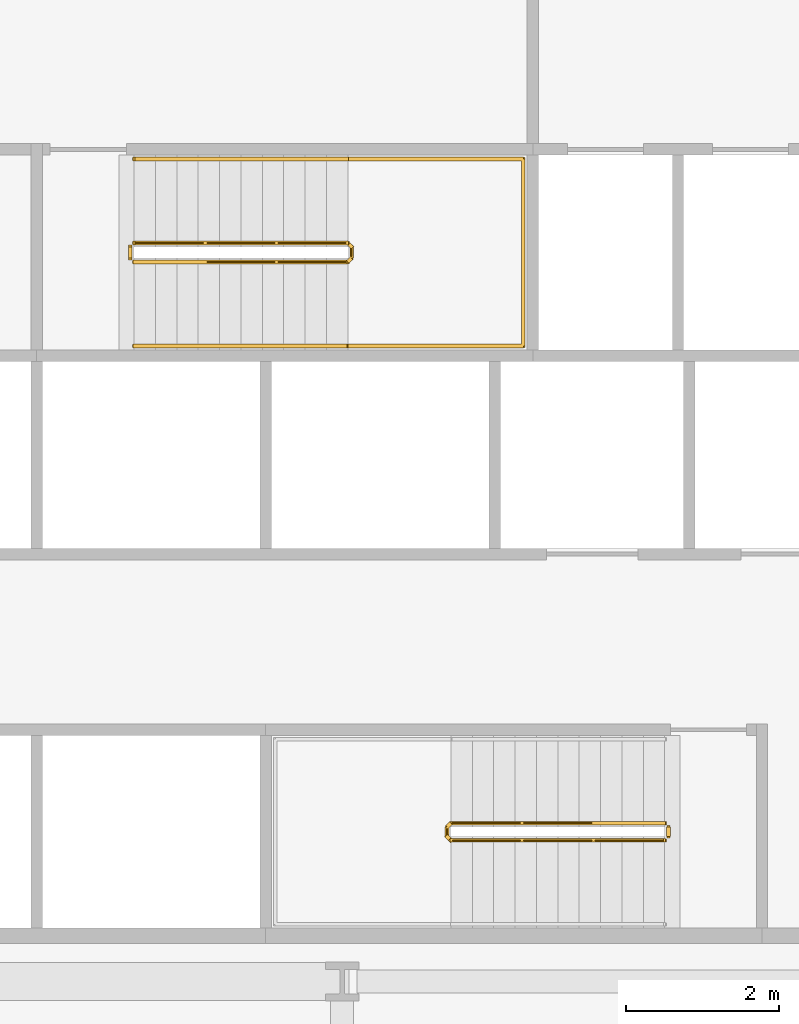
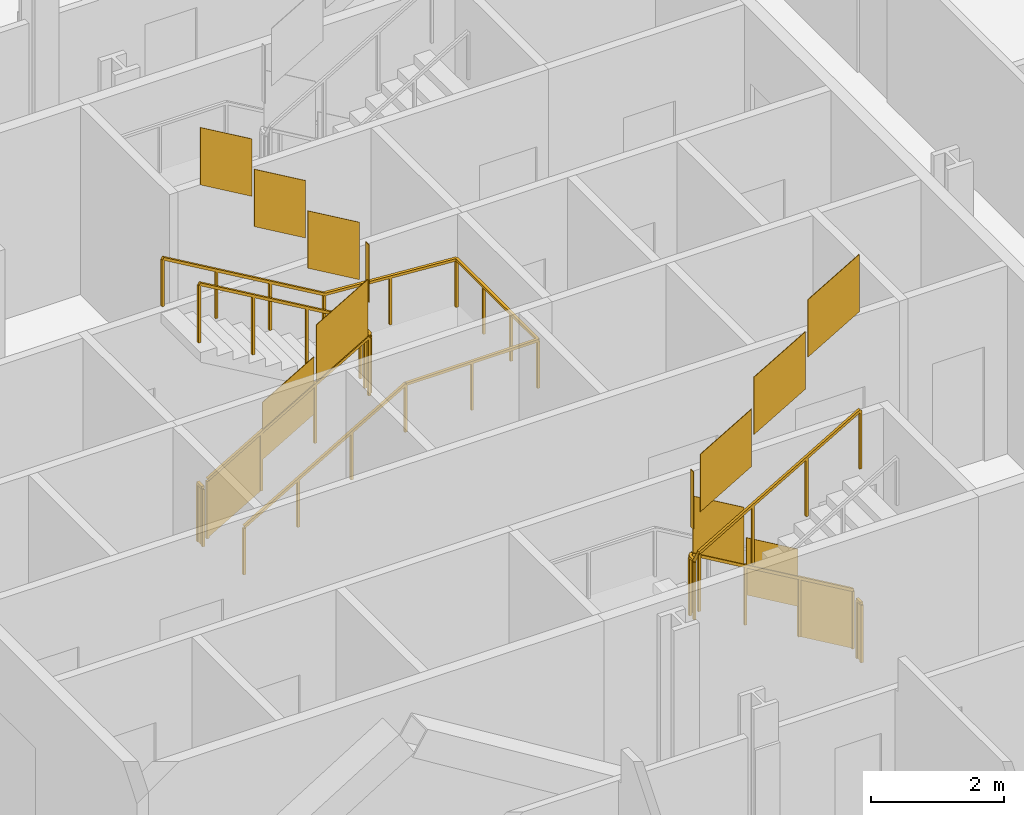
# One storey, part 17 of 20: 5 railings.
"""IFC4 building model written with IfcOpenShell, lengths in metres."""

from ifc_helpers import new_model, si_unit, direction, frame, origin, origin_2d, place, context, subcontext, project, spatial, polyline, rectangle, outline, extrude, material, type_object, element, save


model = new_model("IFC4")

# Units and contexts
model_context = context("Model", 3, precision=1e-05, world=origin(), true_north=direction((0.0, 1.0)))
body_context = subcontext(model_context, "Body", "Model", "MODEL_VIEW")
ifc_project = project(units=[si_unit("LENGTHUNIT", "METRE"), si_unit("AREAUNIT", "SQUARE_METRE"), si_unit("VOLUMEUNIT", "CUBIC_METRE"), si_unit("PLANEANGLEUNIT", "RADIAN"), si_unit("MASSUNIT", "GRAM", prefix="KILO")], contexts=[model_context])

# Site, building, storey
site_placement = place(None, origin())
site = spatial("IfcSite", under=ifc_project, at=site_placement, CompositionType="ELEMENT")
building_placement = place(site_placement, origin())
building = spatial("IfcBuilding", under=site, at=building_placement, Name="Cairn Pilgrim Tower", CompositionType="ELEMENT")
storey_placement = place(building_placement, frame((0.0, 0.0, 87.0)))
storey = spatial("IfcBuildingStorey", under=building, at=storey_placement, Name="L20", CompositionType="ELEMENT", Elevation=87.0)

# Railings
ifc_material = material(Name="Painted steel", Category="steel")
railing_type_1 = type_object("IfcRailingType", Name="STAIR GUARD 1100", PredefinedType="GUARDRAIL", material=ifc_material)
railing_1_placement = place(storey_placement, frame((11.425048828125, -3.925048828125, 0.16357421875)))
element("IfcRailing", 1, at=railing_1_placement, inside=storey, type_object=railing_type_1, Name="L20 ST-A stair guard 1", PredefinedType="GUARDRAIL", context=body_context, shape_type="SweptSolid", body=[
    extrude(rectangle(XDim=0.048095703125, YDim=0.048095703125, at=origin_2d()), frame((0.0, 0.0, 1.076171875), z_axis=(-0.863360870873, 0.0, 0.504586966384), x_axis=(0.0, -1.0, 0.0)), (0.0, 0.0, 1.0), 3.2431640625),
    extrude(rectangle(XDim=0.048095703125, YDim=0.048095703125, at=origin_2d()), frame((-2.800048828125, 0.0, 2.71240234375), z_axis=(-0.707106781187, -0.707106781187, 0.0), x_axis=(0.707106781187, -0.707106781187, 0.0)), (0.0, 0.0, 1.0), 0.07080078125),
    extrude(rectangle(XDim=0.048095703125, YDim=0.048095703125, at=origin_2d()), frame((-2.85009765625, -0.050048828125, 2.71240234375), z_axis=(0.0, -1.0, 0.0), x_axis=(1.0, 0.0, 0.0)), (0.0, 0.0, 1.0), 0.125),
    extrude(rectangle(XDim=0.048095703125, YDim=0.048095703125, at=origin_2d()), frame((-2.85009765625, -0.175048828125, 2.71240234375), z_axis=(0.280916556609, -0.279546231943, 0.91811752648), x_axis=(0.705375805398, 0.708833529934, 0.0)), (0.0, 0.0, 1.0), 0.17822265625),
    extrude(rectangle(XDim=0.048095703125, YDim=0.048095703125, at=origin_2d()), frame((-2.800048828125, -0.224853515625, 2.8759765625), z_axis=(0.863360870873, 0.0, 0.504586966384), x_axis=(0.0, 1.0, 0.0)), (0.0, 0.0, 1.0), 3.2431640625),
    extrude(rectangle(XDim=0.0419921875, YDim=0.0419921875, at=origin_2d()), origin(), (0.0, 0.0, 1.0), 1.052001953125),
    extrude(rectangle(XDim=0.0419921875, YDim=0.0419921875, at=origin_2d()), frame((-0.933349609375, 0.0, 0.54541015625)), (0.0, 0.0, 1.0), 1.052001953125),
    extrude(rectangle(XDim=0.0419921875, YDim=0.0419921875, at=origin_2d()), frame((-1.86669921875, 0.0, 1.091064453125)), (0.0, 0.0, 1.0), 1.052001953125),
    extrude(rectangle(XDim=0.0419921875, YDim=0.0419921875, at=origin_2d()), frame((-2.800048828125, 0.0, 1.636474609375)), (0.0, 0.0, 1.0), 1.052001953125),
    extrude(rectangle(XDim=0.0419921875, YDim=0.0419921875, at=origin_2d()), frame((-2.85009765625, -0.050048828125, 1.636474609375)), (0.0, 0.0, 1.0), 1.052001953125),
    extrude(rectangle(XDim=0.0419921875, YDim=0.0419921875, at=origin_2d()), frame((-2.85009765625, -0.175048828125, 1.636474609375)), (0.0, 0.0, 1.0), 1.052001953125),
    extrude(rectangle(XDim=0.0419921875, YDim=0.0419921875, at=origin_2d()), frame((-2.800048828125, -0.224853515625, 1.800048828125)), (0.0, 0.0, 1.0), 1.052001953125),
    extrude(rectangle(XDim=0.0419921875, YDim=0.0419921875, at=origin_2d()), frame((-1.86669921875, -0.224853515625, 2.345458984375)), (0.0, 0.0, 1.0), 1.052001953125),
    extrude(rectangle(XDim=0.0419921875, YDim=0.0419921875, at=origin_2d()), frame((-0.933349609375, -0.224853515625, 2.89111328125)), (0.0, 0.0, 1.0), 1.052001953125),
    extrude(rectangle(XDim=0.0419921875, YDim=0.0419921875, at=origin_2d()), frame((0.0, -0.224853515625, 3.4365234375)), (0.0, 0.0, 1.0), 1.052001953125),
    extrude(outline(polyline([(0.02099609375, 0.01220703125), (0.912353515625, 0.533203125), (0.912353515625, 1.585205078125), (0.02099609375, 1.064208984375), (0.02099609375, 0.01220703125)])), frame((0.0, -0.005859375, 0.0), z_axis=(0.0, 1.0, 0.0), x_axis=(-1.0, 0.0, 0.0)), (0.0, 0.0, 1.0), 0.011962890625),
    extrude(outline(polyline([(0.02099609375, 0.557861328125), (0.912353515625, 1.07861328125), (0.912353515625, 2.130615234375), (0.02099609375, 1.60986328125), (0.02099609375, 0.557861328125)])), frame((-0.933349609375, -0.005859375, 0.54541015625), z_axis=(0.0, 1.0, 0.0), x_axis=(-1.0, 0.0, 0.0)), (0.0, 0.0, 1.0), 0.011962890625),
    extrude(outline(polyline([(0.02099609375, 1.103271484375), (0.912353515625, 1.624267578125), (0.912353515625, 2.67626953125), (0.02099609375, 2.1552734375), (0.02099609375, 1.103271484375)])), frame((-1.86669921875, -0.005859375, 1.091064453125), z_axis=(0.0, 1.0, 0.0), x_axis=(-1.0, 0.0, 0.0)), (0.0, 0.0, 1.0), 0.011962890625),
    extrude(outline(polyline([(0.02099609375, 1.636474609375), (0.10400390625, 1.636474609375), (0.10400390625, 2.6884765625), (0.02099609375, 2.6884765625), (0.02099609375, 1.636474609375)])), frame((-2.84423828125, -0.050048828125, 1.636474609375), z_axis=(-1.0, 0.0, 0.0), x_axis=(0.0, -1.0, 0.0)), (0.0, 0.0, 1.0), 0.011962890625),
    extrude(outline(polyline([(0.02099609375, 1.812255859375), (0.912353515625, 2.333251953125), (0.912353515625, 3.38525390625), (0.02099609375, 2.8642578125), (0.02099609375, 1.812255859375)])), frame((-2.800048828125, -0.21875, 1.800048828125), z_axis=(0.0, -1.0, 0.0), x_axis=(1.0, 0.0, 0.0)), (0.0, 0.0, 1.0), 0.011962890625),
    extrude(outline(polyline([(0.02099609375, 2.35791015625), (0.912353515625, 2.878662109375), (0.912353515625, 3.9306640625), (0.02099609375, 3.409912109375), (0.02099609375, 2.35791015625)])), frame((-1.86669921875, -0.21875, 2.345458984375), z_axis=(0.0, -1.0, 0.0), x_axis=(1.0, 0.0, 0.0)), (0.0, 0.0, 1.0), 0.011962890625),
    extrude(outline(polyline([(0.02099609375, 2.9033203125), (0.912353515625, 3.42431640625), (0.912353515625, 4.476318359375), (0.02099609375, 3.955322265625), (0.02099609375, 2.9033203125)])), frame((-0.933349609375, -0.21875, 2.89111328125), z_axis=(0.0, -1.0, 0.0), x_axis=(1.0, 0.0, 0.0)), (0.0, 0.0, 1.0), 0.011962890625),
])
railing_2_placement = place(storey_placement, frame((11.47509765625, -3.97509765625, 0.0)))
element("IfcRailing", 2, at=railing_2_placement, inside=storey, type_object=railing_type_1, Name="L20 ST-A stair guard 2", PredefinedType="GUARDRAIL", context=body_context, shape_type="SweptSolid", body=[
    extrude(rectangle(XDim=0.048095703125, YDim=0.048095703125, at=origin_2d()), frame((0.0, 0.0, 1.076171875), z_axis=(0.0, -1.0, 0.0), x_axis=(1.0, 0.0, 0.0)), (0.0, 0.0, 1.0), 0.125),
    extrude(rectangle(XDim=0.0419921875, YDim=0.0419921875, at=origin_2d()), origin(), (0.0, 0.0, 1.0), 1.052001953125),
    extrude(rectangle(XDim=0.0419921875, YDim=0.0419921875, at=origin_2d()), frame((0.0, -0.125, 0.0)), (0.0, 0.0, 1.0), 1.052001953125),
    extrude(outline(polyline([(0.02099609375, 0.0), (0.10400390625, 0.0), (0.10400390625, 1.052001953125), (0.02099609375, 1.052001953125), (0.02099609375, 0.0)])), frame((0.005859375, 0.0, 0.0), z_axis=(-1.0, 0.0, 0.0), x_axis=(0.0, -1.0, 0.0)), (0.0, 0.0, 1.0), 0.011962890625),
])
railing_3_placement = place(storey_placement, frame((4.47509765625, 3.425048828125, 0.16357421875)))
element("IfcRailing", 3, at=railing_3_placement, inside=storey, type_object=railing_type_1, Name="L20 ST-B stair guard 1", PredefinedType="GUARDRAIL", context=body_context, shape_type="SweptSolid", body=[
    extrude(rectangle(XDim=0.048095703125, YDim=0.048095703125, at=origin_2d()), frame((0.0, 0.0, 1.076171875), z_axis=(0.863341702679, 0.0, 0.504619762213), x_axis=(0.0, 1.0, 0.0)), (0.0, 0.0, 1.0), 3.242919921875),
    extrude(rectangle(XDim=0.048095703125, YDim=0.048095703125, at=origin_2d()), frame((2.7998046875, 0.0, 2.71240234375), z_axis=(0.707106781187, 0.707106781187, 0.0), x_axis=(-0.707106781187, 0.707106781187, 0.0)), (0.0, 0.0, 1.0), 0.07080078125),
    extrude(rectangle(XDim=0.048095703125, YDim=0.048095703125, at=origin_2d()), frame((2.849853515625, 0.050048828125, 2.71240234375), z_axis=(0.0, 1.0, 0.0), x_axis=(-1.0, 0.0, 0.0)), (0.0, 0.0, 1.0), 0.14990234375),
    extrude(rectangle(XDim=0.048095703125, YDim=0.048095703125, at=origin_2d()), frame((2.849853515625, 0.199951171875, 2.71240234375), z_axis=(-0.280808744504, 0.280808744504, 0.917765164963), x_axis=(-0.707106781187, -0.707106781187, 0.0)), (0.0, 0.0, 1.0), 0.17822265625),
    extrude(rectangle(XDim=0.048095703125, YDim=0.048095703125, at=origin_2d()), frame((2.7998046875, 0.25, 2.8759765625), z_axis=(-0.863341702679, 0.0, 0.504619762213), x_axis=(0.0, -1.0, 0.0)), (0.0, 0.0, 1.0), 3.242919921875),
    extrude(rectangle(XDim=0.0419921875, YDim=0.0419921875, at=origin_2d()), origin(), (0.0, 0.0, 1.0), 1.052001953125),
    extrude(rectangle(XDim=0.0419921875, YDim=0.0419921875, at=origin_2d()), frame((0.933349609375, 0.0, 0.54541015625)), (0.0, 0.0, 1.0), 1.052001953125),
    extrude(rectangle(XDim=0.0419921875, YDim=0.0419921875, at=origin_2d()), frame((1.866455078125, 0.0, 1.091064453125)), (0.0, 0.0, 1.0), 1.052001953125),
    extrude(rectangle(XDim=0.0419921875, YDim=0.0419921875, at=origin_2d()), frame((2.7998046875, 0.0, 1.636474609375)), (0.0, 0.0, 1.0), 1.052001953125),
    extrude(rectangle(XDim=0.0419921875, YDim=0.0419921875, at=origin_2d()), frame((2.849853515625, 0.050048828125, 1.636474609375)), (0.0, 0.0, 1.0), 1.052001953125),
    extrude(rectangle(XDim=0.0419921875, YDim=0.0419921875, at=origin_2d()), frame((2.849853515625, 0.199951171875, 1.636474609375)), (0.0, 0.0, 1.0), 1.052001953125),
    extrude(rectangle(XDim=0.0419921875, YDim=0.0419921875, at=origin_2d()), frame((2.7998046875, 0.25, 1.800048828125)), (0.0, 0.0, 1.0), 1.052001953125),
    extrude(rectangle(XDim=0.0419921875, YDim=0.0419921875, at=origin_2d()), frame((1.866455078125, 0.25, 2.345458984375)), (0.0, 0.0, 1.0), 1.052001953125),
    extrude(rectangle(XDim=0.0419921875, YDim=0.0419921875, at=origin_2d()), frame((0.933349609375, 0.25, 2.89111328125)), (0.0, 0.0, 1.0), 1.052001953125),
    extrude(rectangle(XDim=0.0419921875, YDim=0.0419921875, at=origin_2d()), frame((0.0, 0.25, 3.4365234375)), (0.0, 0.0, 1.0), 1.052001953125),
    extrude(outline(polyline([(0.02099609375, 0.01220703125), (0.912353515625, 0.533203125), (0.912353515625, 1.585205078125), (0.02099609375, 1.064208984375), (0.02099609375, 0.01220703125)])), frame((0.0, 0.005859375, 0.0), z_axis=(0.0, -1.0, 0.0), x_axis=(1.0, 0.0, 0.0)), (0.0, 0.0, 1.0), 0.011962890625),
    extrude(outline(polyline([(0.02099609375, 0.557861328125), (0.912353515625, 1.07861328125), (0.912353515625, 2.130615234375), (0.02099609375, 1.60986328125), (0.02099609375, 0.557861328125)])), frame((0.933349609375, 0.005859375, 0.54541015625), z_axis=(0.0, -1.0, 0.0), x_axis=(1.0, 0.0, 0.0)), (0.0, 0.0, 1.0), 0.011962890625),
    extrude(outline(polyline([(0.02099609375, 1.103271484375), (0.912353515625, 1.624267578125), (0.912353515625, 2.67626953125), (0.02099609375, 2.1552734375), (0.02099609375, 1.103271484375)])), frame((1.866455078125, 0.005859375, 1.091064453125), z_axis=(0.0, -1.0, 0.0), x_axis=(1.0, 0.0, 0.0)), (0.0, 0.0, 1.0), 0.011962890625),
    extrude(outline(polyline([(0.02099609375, 1.636474609375), (0.12890625, 1.636474609375), (0.12890625, 2.6884765625), (0.02099609375, 2.6884765625), (0.02099609375, 1.636474609375)])), frame((2.84375, 0.050048828125, 1.636474609375), z_axis=(1.0, 0.0, 0.0), x_axis=(0.0, 1.0, 0.0)), (0.0, 0.0, 1.0), 0.011962890625),
    extrude(outline(polyline([(0.02099609375, 1.812255859375), (0.912353515625, 2.333251953125), (0.912353515625, 3.38525390625), (0.02099609375, 2.8642578125), (0.02099609375, 1.812255859375)])), frame((2.7998046875, 0.244140625, 1.800048828125), z_axis=(0.0, 1.0, 0.0), x_axis=(-1.0, 0.0, 0.0)), (0.0, 0.0, 1.0), 0.011962890625),
    extrude(outline(polyline([(0.02099609375, 2.35791015625), (0.912353515625, 2.878662109375), (0.912353515625, 3.9306640625), (0.02099609375, 3.409912109375), (0.02099609375, 2.35791015625)])), frame((1.866455078125, 0.244140625, 2.345458984375), z_axis=(0.0, 1.0, 0.0), x_axis=(-1.0, 0.0, 0.0)), (0.0, 0.0, 1.0), 0.011962890625),
    extrude(outline(polyline([(0.02099609375, 2.9033203125), (0.912353515625, 3.42431640625), (0.912353515625, 4.476318359375), (0.02099609375, 3.955322265625), (0.02099609375, 2.9033203125)])), frame((0.933349609375, 0.244140625, 2.89111328125), z_axis=(0.0, 1.0, 0.0), x_axis=(-1.0, 0.0, 0.0)), (0.0, 0.0, 1.0), 0.011962890625),
])
railing_4_placement = place(storey_placement, frame((4.425048828125, 3.47509765625, 0.0)))
element("IfcRailing", 4, at=railing_4_placement, inside=storey, type_object=railing_type_1, Name="L20 ST-B stair guard 2", PredefinedType="GUARDRAIL", context=body_context, shape_type="SweptSolid", body=[
    extrude(rectangle(XDim=0.048095703125, YDim=0.048095703125, at=origin_2d()), frame((0.0, 0.0, 1.076171875), z_axis=(0.0, 1.0, 0.0), x_axis=(-1.0, 0.0, 0.0)), (0.0, 0.0, 1.0), 0.14990234375),
    extrude(rectangle(XDim=0.0419921875, YDim=0.0419921875, at=origin_2d()), origin(), (0.0, 0.0, 1.0), 1.052001953125),
    extrude(rectangle(XDim=0.0419921875, YDim=0.0419921875, at=origin_2d()), frame((0.0, 0.14990234375, 0.0)), (0.0, 0.0, 1.0), 1.052001953125),
    extrude(outline(polyline([(0.02099609375, 0.0), (0.12890625, 0.0), (0.12890625, 1.052001953125), (0.02099609375, 1.052001953125), (0.02099609375, 0.0)])), frame((-0.005859375, 0.0, 0.0), z_axis=(1.0, 0.0, 0.0), x_axis=(0.0, 1.0, 0.0)), (0.0, 0.0, 1.0), 0.011962890625),
])
railing_type_2 = type_object("IfcRailingType", Name="STAIR HANDRAIL 900", PredefinedType="HANDRAIL", material=ifc_material)
railing_5_placement = place(storey_placement, frame((4.47509765625, 2.324951171875, 0.16357421875)))
element("IfcRailing", 5, at=railing_5_placement, inside=storey, type_object=railing_type_2, Name="L20 ST-B stair handrail 1", PredefinedType="HANDRAIL", context=body_context, shape_type="SweptSolid", body=[
    extrude(rectangle(XDim=0.048095703125, YDim=0.048095703125, at=origin_2d()), frame((0.0, 0.0, 0.8759765625), z_axis=(0.863341702679, 0.0, 0.504619762213), x_axis=(0.0, 1.0, 0.0)), (0.0, 0.0, 1.0), 3.242919921875),
    extrude(rectangle(XDim=0.048095703125, YDim=0.048095703125, at=origin_2d()), frame((2.7998046875, 0.0, 2.51220703125), z_axis=(1.0, 0.0, 0.0), x_axis=(0.0, 1.0, 0.0)), (0.0, 0.0, 1.0), 2.300048828125),
    extrude(rectangle(XDim=0.048095703125, YDim=0.048095703125, at=origin_2d()), frame((5.099853515625, 0.0, 2.51220703125), z_axis=(0.0, 1.0, 0.0), x_axis=(-1.0, 0.0, 0.0)), (0.0, 0.0, 1.0), 2.449951171875),
    extrude(rectangle(XDim=0.048095703125, YDim=0.048095703125, at=origin_2d()), frame((5.099853515625, 2.449951171875, 2.51220703125), z_axis=(-0.997480687736, 0.0, 0.070938548008), x_axis=(0.0, -1.0, 0.0)), (0.0, 0.0, 1.0), 2.305908203125),
    extrude(rectangle(XDim=0.048095703125, YDim=0.048095703125, at=origin_2d()), frame((2.7998046875, 2.449951171875, 2.67578125), z_axis=(-0.863341702679, 0.0, 0.504619762213), x_axis=(0.0, -1.0, 0.0)), (0.0, 0.0, 1.0), 3.242919921875),
    extrude(rectangle(XDim=0.0419921875, YDim=0.0419921875, at=origin_2d()), origin(), (0.0, 0.0, 1.0), 0.851806640625),
    extrude(rectangle(XDim=0.0419921875, YDim=0.0419921875, at=origin_2d()), frame((0.933349609375, 0.0, 0.54541015625)), (0.0, 0.0, 1.0), 0.851806640625),
    extrude(rectangle(XDim=0.0419921875, YDim=0.0419921875, at=origin_2d()), frame((1.866455078125, 0.0, 1.091064453125)), (0.0, 0.0, 1.0), 0.851806640625),
    extrude(rectangle(XDim=0.0419921875, YDim=0.0419921875, at=origin_2d()), frame((2.7998046875, 0.0, 1.636474609375)), (0.0, 0.0, 1.0), 0.851806640625),
    extrude(rectangle(XDim=0.0419921875, YDim=0.0419921875, at=origin_2d()), frame((3.94970703125, 0.0, 1.636474609375)), (0.0, 0.0, 1.0), 0.851806640625),
    extrude(rectangle(XDim=0.0419921875, YDim=0.0419921875, at=origin_2d()), frame((5.099853515625, 0.0, 1.636474609375)), (0.0, 0.0, 1.0), 0.851806640625),
    extrude(rectangle(XDim=0.0419921875, YDim=0.0419921875, at=origin_2d()), frame((5.099853515625, 0.816650390625, 1.636474609375)), (0.0, 0.0, 1.0), 0.851806640625),
    extrude(rectangle(XDim=0.0419921875, YDim=0.0419921875, at=origin_2d()), frame((5.099853515625, 1.63330078125, 1.636474609375)), (0.0, 0.0, 1.0), 0.851806640625),
    extrude(rectangle(XDim=0.0419921875, YDim=0.0419921875, at=origin_2d()), frame((5.099853515625, 2.449951171875, 1.636474609375)), (0.0, 0.0, 1.0), 0.851806640625),
    extrude(rectangle(XDim=0.0419921875, YDim=0.0419921875, at=origin_2d()), frame((3.94970703125, 2.449951171875, 1.71826171875)), (0.0, 0.0, 1.0), 0.851806640625),
    extrude(rectangle(XDim=0.0419921875, YDim=0.0419921875, at=origin_2d()), frame((2.7998046875, 2.449951171875, 1.800048828125)), (0.0, 0.0, 1.0), 0.851806640625),
    extrude(rectangle(XDim=0.0419921875, YDim=0.0419921875, at=origin_2d()), frame((1.866455078125, 2.449951171875, 2.345458984375)), (0.0, 0.0, 1.0), 0.851806640625),
    extrude(rectangle(XDim=0.0419921875, YDim=0.0419921875, at=origin_2d()), frame((0.933349609375, 2.449951171875, 2.89111328125)), (0.0, 0.0, 1.0), 0.851806640625),
    extrude(rectangle(XDim=0.0419921875, YDim=0.0419921875, at=origin_2d()), frame((0.0, 2.449951171875, 3.4365234375)), (0.0, 0.0, 1.0), 0.851806640625),
])

save(model, "model.ifc")
